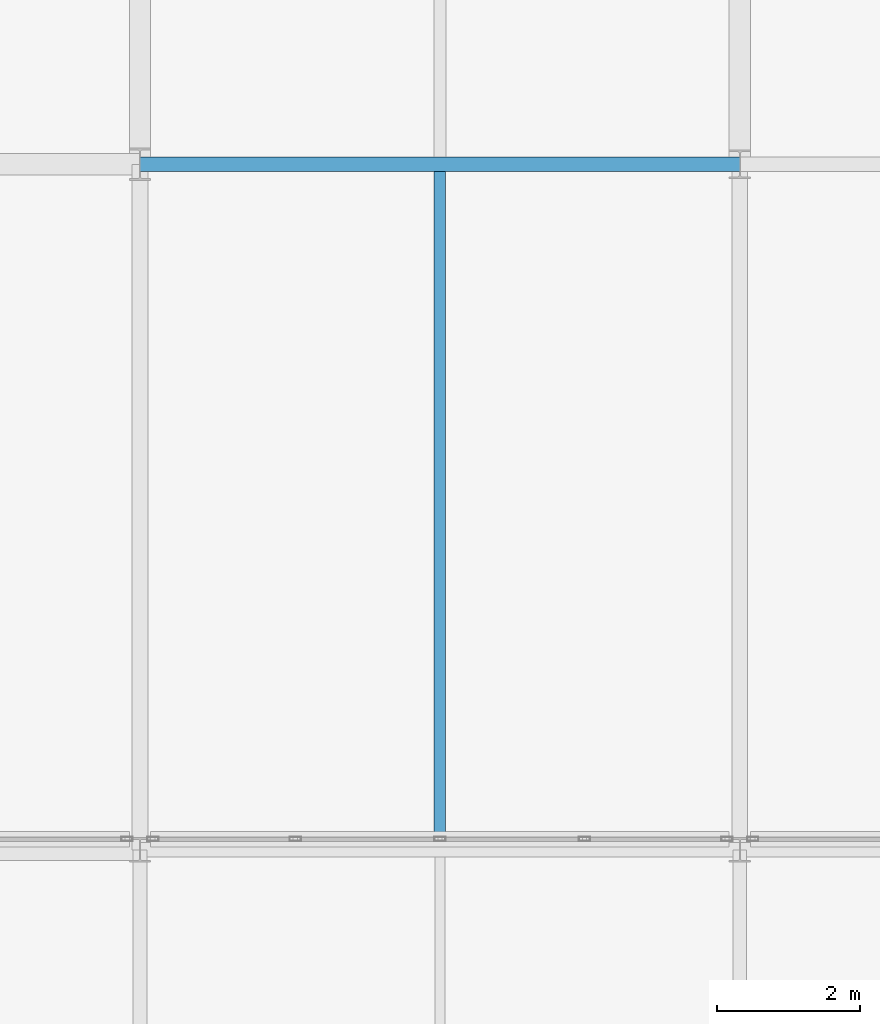
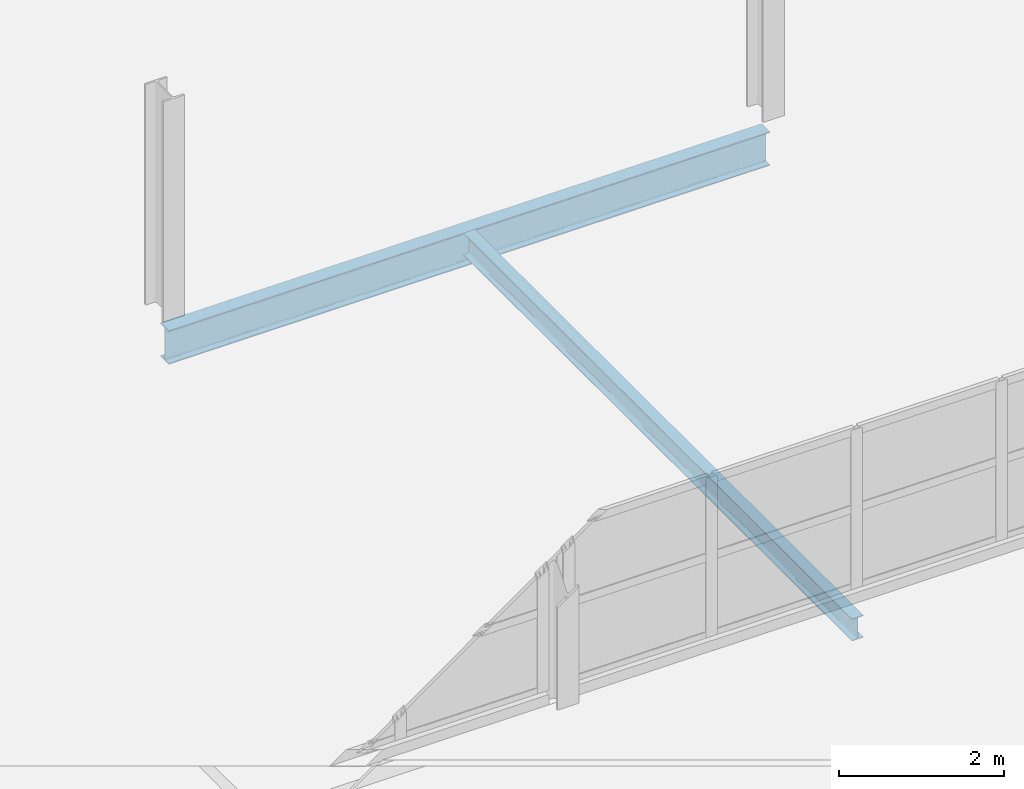
# One storey, part 26 of 103: 2 beams.
"""IFC4 building model written with IfcOpenShell, lengths in metres."""

from ifc_helpers import new_model, si_unit, direction, frame, origin, origin_2d, place, context, subcontext, project, spatial, i_section, extrude, material, material_profile, profile_set, type_object, element, save


model = new_model("IFC4")

# Units and contexts
model_context = context("Model", 3, precision=1e-05, world=origin(), true_north=direction((0.0, 1.0)))
body_context = subcontext(model_context, "Body", "Model", "MODEL_VIEW")
ifc_project = project(units=[si_unit("LENGTHUNIT", "METRE"), si_unit("AREAUNIT", "SQUARE_METRE"), si_unit("VOLUMEUNIT", "CUBIC_METRE"), si_unit("PLANEANGLEUNIT", "RADIAN"), si_unit("MASSUNIT", "GRAM", prefix="KILO")], contexts=[model_context])

# Site, building, storey
site_placement = place(None, origin())
site = spatial("IfcSite", under=ifc_project, at=site_placement, CompositionType="ELEMENT")
building_placement = place(site_placement, origin())
building = spatial("IfcBuilding", under=site, at=building_placement, Name="Veltarok Museum of Natural Sciences", CompositionType="ELEMENT")
storey_placement = place(building_placement, frame((0.0, 0.0, 21.89990234375)))
storey = spatial("IfcBuildingStorey", under=building, at=storey_placement, Name="L04", CompositionType="ELEMENT", Elevation=21.89990234375)

# Beams
ifc_material = material(Name="Steel S355J2", Category="steel")
ifc_material_profile_1 = material_profile(ifc_material, i_section(OverallWidth=0.159912109375, OverallDepth=0.330078125, WebThickness=0.007568359375, FlangeThickness=0.011474609375, FilletRadius=0.01806640625, at=origin_2d()), Name="IPE 330")
ifc_profile_set_1 = profile_set([ifc_material_profile_1], Name="Steel S355J2")
beam_type_1 = type_object("IfcBeamType", Name="Medium-Bay Composite Joist IPE 330", PredefinedType="JOIST", material=ifc_profile_set_1)
beam_1_placement = place(storey_placement, frame((52.60009765625, 26.498046875, -0.414794921875), z_axis=(0.0, 1.0, 0.0), x_axis=(-1.0, 0.0, 0.0)))
element("IfcBeam", 1, at=beam_1_placement, inside=storey, type_object=beam_type_1, Name="Secondary Joist BM-J02 L04 6-7/D-E.1", PredefinedType="JOIST", context=body_context, shape_type="SweptSolid", body=[
    extrude(i_section(OverallWidth=0.159912109375, OverallDepth=0.330078125, WebThickness=0.007568359375, FlangeThickness=0.011474609375, FilletRadius=0.01806640625, at=origin_2d()), origin(), (0.0, 0.0, 1.0), 9.404052734375),
])
ifc_material_profile_2 = material_profile(ifc_material, i_section(OverallWidth=0.199951171875, OverallDepth=0.5, WebThickness=0.01025390625, FlangeThickness=0.01611328125, FilletRadius=0.02099609375, at=origin_2d()), Name="IPE 500")
ifc_profile_set_2 = profile_set([ifc_material_profile_2], Name="Steel S355J2")
beam_type_2 = type_object("IfcBeamType", Name="Standard Gallery Girder IPE 500", PredefinedType="BEAM", material=ifc_profile_set_2)
beam_2_placement = place(storey_placement, frame((48.39990234375, 36.0, -0.5), z_axis=(1.0, 0.0, 0.0), x_axis=(0.0, 1.0, 0.0)))
element("IfcBeam", 2, at=beam_2_placement, inside=storey, type_object=beam_type_2, Name="Beam BM-G04 L04 6-7/E", PredefinedType="BEAM", context=body_context, shape_type="SweptSolid", body=[
    extrude(i_section(OverallWidth=0.199951171875, OverallDepth=0.5, WebThickness=0.01025390625, FlangeThickness=0.01611328125, FilletRadius=0.02099609375, at=origin_2d()), origin(), (0.0, 0.0, 1.0), 8.400146484375),
])

save(model, "model.ifc")
